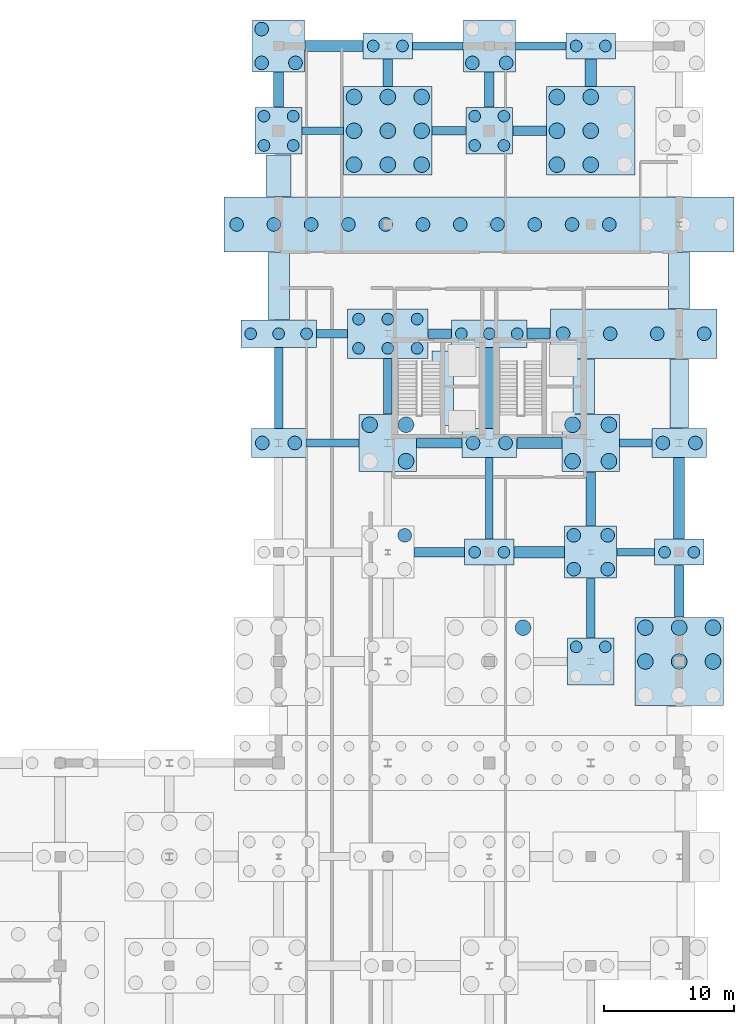
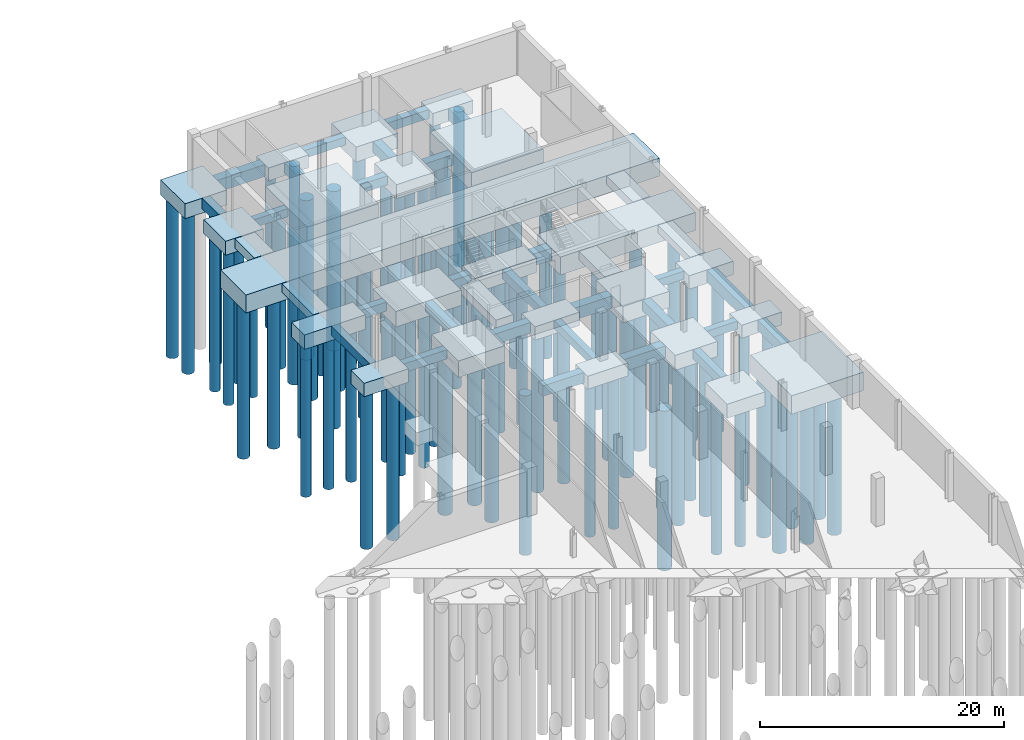
# One storey, part 8 of 32: 90 piles, 57 footings.
"""IFC4 building model written with IfcOpenShell, lengths in metres."""

import ifcopenshell
import ifcopenshell.guid

model = None  # the IFC model being written
_history = None  # IfcOwnerHistory: only IFC2X3 demands one
_inside = {}  # id of a spatial element -> (the spatial element, [elements in it])
_under = {}  # id of a project, library or spatial element -> (it, [spatial elements below it])
_declared = {}  # id of a project -> (the project, [libraries it declares])
_typed = {}  # id of a type object -> (the type object, [elements of that type])
_made_of = {}  # id of a material, layer set ... -> (it, [elements and type objects made of it])


def new_model(schema):
    """Start an empty IFC model of exactly this schema.

    Asked for "IFC4X3", IfcOpenShell would pick the latest addendum, in which some entities
    have other attributes; the version numbers below select the first issue.
    IFC2X3 requires an IfcOwnerHistory on every rooted entity: one is made here for all.
    """
    global model, _history
    if schema == "IFC4X3":
        model = ifcopenshell.file(schema_version=(4, 3, 0, 0))
    else:
        model = ifcopenshell.file(schema=schema)
    _inside.clear()
    _under.clear()
    _declared.clear()
    _typed.clear()
    _made_of.clear()
    _history = None
    if model.schema == "IFC2X3":
        org = make("IfcOrganization", Name="unknown")
        user = make(
            "IfcPersonAndOrganization",
            ThePerson=make("IfcPerson", FamilyName="unknown"),
            TheOrganization=org,
        )
        app = make(
            "IfcApplication",
            ApplicationDeveloper=org,
            Version="unknown",
            ApplicationFullName="unknown",
            ApplicationIdentifier="unknown",
        )
        _history = make(
            "IfcOwnerHistory",
            OwningUser=user,
            OwningApplication=app,
            ChangeAction="ADDED",
            CreationDate=0,
        )
    return model


def make(cls, **values):
    """One entity of the class cls with the attributes given. An attribute that is None is left unset."""
    return model.create_entity(
        cls, **{name: value for name, value in values.items() if value is not None}
    )


def rooted(cls, **values):
    """An entity with a GlobalId (a new one), such as an element, a storey or a relation."""
    return make(cls, GlobalId=ifcopenshell.guid.new(), OwnerHistory=_history, **values)


def si_unit(unit_type, name, prefix=None):
    """IfcSIUnit, for example si_unit("LENGTHUNIT", "METRE", prefix="MILLI")."""
    return make("IfcSIUnit", UnitType=unit_type, Prefix=prefix, Name=name)


def assignment(units):
    """IfcUnitAssignment: the units of a project."""
    return None if units is None else make("IfcUnitAssignment", Units=units)


def point(xyz):
    """IfcCartesianPoint."""
    return None if xyz is None else make("IfcCartesianPoint", Coordinates=xyz)


def direction(xyz):
    """IfcDirection."""
    return None if xyz is None else make("IfcDirection", DirectionRatios=xyz)


def frame(location, z_axis=None, x_axis=None):
    """IfcAxis2Placement3D, a coordinate frame: its origin and axes. An axis left out is left unset."""
    return make(
        "IfcAxis2Placement3D",
        Location=point(location),
        Axis=direction(z_axis),
        RefDirection=direction(x_axis),
    )


def frame_2d(location, x_axis=None):
    """IfcAxis2Placement2D, a coordinate frame in the plane: its origin and x axis."""
    return make(
        "IfcAxis2Placement2D", Location=point(location), RefDirection=direction(x_axis)
    )


def origin_with_axes():
    """The frame at (0, 0, 0) with the z axis (0, 0, 1) and the x axis (1, 0, 0) written out."""
    return frame((0.0, 0.0, 0.0), z_axis=(0.0, 0.0, 1.0), x_axis=(1.0, 0.0, 0.0))


def origin_2d_with_axis():
    """The frame at (0, 0) in the plane with the x axis (1, 0) written out."""
    return frame_2d((0.0, 0.0), x_axis=(1.0, 0.0))


def place(relative_to, where):
    """IfcLocalPlacement: puts the frame where relative to a parent placement (None: the world)."""
    return make(
        "IfcLocalPlacement", PlacementRelTo=relative_to, RelativePlacement=where
    )


def context(
    kind, dimensions, precision=None, world=None, true_north=None, identifier=None
):
    """IfcGeometricRepresentationContext, for example the 3D "Model" context."""
    return make(
        "IfcGeometricRepresentationContext",
        ContextIdentifier=identifier,
        ContextType=kind,
        CoordinateSpaceDimension=dimensions,
        Precision=precision,
        WorldCoordinateSystem=world,
        TrueNorth=true_north,
    )


def subcontext(parent, identifier, kind, view, scale=None):
    """IfcGeometricRepresentationSubContext, for example "Body" below "Model"."""
    return make(
        "IfcGeometricRepresentationSubContext",
        ContextIdentifier=identifier,
        ContextType=kind,
        ParentContext=parent,
        TargetScale=scale,
        TargetView=view,
    )


def project(units=None, contexts=None):
    """IfcProject with its units and contexts."""
    return rooted(
        "IfcProject",
        Name="project",
        RepresentationContexts=contexts,
        UnitsInContext=assignment(units),
    )


def spatial(cls, under=None, at=None, **own):
    """A site, building, storey or space (cls), placed at a placement, below another one or the project."""
    s = rooted(cls, ObjectPlacement=at, **own)
    if under is not None:
        _under.setdefault(under.id(), (under, []))[1].append(s)
    return s


def profile(cls, at=None, kind="AREA", **sizes):
    """A parametric profile (cls). Its sizes go by their IFC names, for example OverallWidth=200.0."""
    return make(cls, ProfileType=kind, Position=at, **sizes)


def rectangle(**sizes):
    """IfcRectangleProfileDef."""
    return profile("IfcRectangleProfileDef", **sizes)


def circle(**sizes):
    """IfcCircleProfileDef."""
    return profile("IfcCircleProfileDef", **sizes)


def extrude(swept, where, along, depth):
    """IfcExtrudedAreaSolid: the profile swept, set in the frame where, extruded along a direction by depth."""
    return make(
        "IfcExtrudedAreaSolid",
        SweptArea=swept,
        Position=where,
        ExtrudedDirection=direction(along),
        Depth=depth,
    )


def shape(context_of_items, identifier, shape_type, items):
    """IfcShapeRepresentation: the items that make up one representation, for example the "Body"."""
    return make(
        "IfcShapeRepresentation",
        ContextOfItems=context_of_items,
        RepresentationIdentifier=identifier,
        RepresentationType=shape_type,
        Items=items,
    )


def material(Name=None, Category=None):
    """IfcMaterial."""
    return make("IfcMaterial", Name=Name, Category=Category)


def material_profile(
    of_material, cross_section, Name=None, Category=None, Priority=None
):
    """IfcMaterialProfile: a cross section and its material."""
    return make(
        "IfcMaterialProfile",
        Name=Name,
        Material=of_material,
        Profile=cross_section,
        Priority=Priority,
        Category=Category,
    )


def profile_set(profiles, Name=None, composite=None):
    """IfcMaterialProfileSet."""
    return make(
        "IfcMaterialProfileSet",
        Name=Name,
        MaterialProfiles=profiles,
        CompositeProfile=composite,
    )


def made_of(thing, what):
    """Note that an element or type object is made of a material, layer set ...; save() writes the relation."""
    if what is not None:
        _made_of.setdefault(what.id(), (what, []))[1].append(thing)
    return thing


def type_object(cls, material=None, **own):
    """A type object (cls), such as IfcWallType, which elements share."""
    return made_of(rooted(cls, **own), material)


def element(
    cls,
    number,
    at=None,
    inside=None,
    cuts=None,
    type_object=None,
    material=None,
    context=None,
    identifier="Body",
    shape_type=None,
    held_by="IfcProductDefinitionShape",
    body=None,
    shapes=None,
    **own,
):
    """One element of the class cls, such as IfcWall. Its Tag is "e" and its number.

    at: its placement. inside: the storey or other place that contains it. cuts: it is an
    opening in that element (IfcRelVoidsElement). A single representation is given by context,
    identifier, shape_type and body (its items); several are given by shapes. held_by: the class
    of the entity that holds the representations. save() writes the other relations.
    """
    e = rooted(cls, Tag="e%d" % number, ObjectPlacement=at, **own)
    if body is not None:
        shapes = [shape(context, identifier, shape_type, body)]
    if shapes is not None:
        e.Representation = make(held_by, Representations=shapes)
    if inside is not None:
        _inside.setdefault(inside.id(), (inside, []))[1].append(e)
    if cuts is not None:
        rooted(
            "IfcRelVoidsElement", RelatingBuildingElement=cuts, RelatedOpeningElement=e
        )
    if type_object is not None:
        _typed.setdefault(type_object.id(), (type_object, []))[1].append(e)
    return made_of(e, material)


def aggregate(whole, parts):
    """IfcRelAggregates: a whole, such as a stair, and the parts it consists of."""
    return rooted("IfcRelAggregates", RelatingObject=whole, RelatedObjects=parts)


def save(model, path):
    """Write the relations noted so far, then the file.

    IfcRelAggregates (storeys below a building ...), IfcRelContainedInSpatialStructure (elements
    in a storey), IfcRelDefinesByType, IfcRelAssociatesMaterial and IfcRelDeclares: one each for
    every whole, place, type object, material and project.
    """
    for whole, parts in _under.values():
        aggregate(whole, parts)
    for where, things in _inside.values():
        rooted(
            "IfcRelContainedInSpatialStructure",
            RelatedElements=things,
            RelatingStructure=where,
        )
    for kind, things in _typed.values():
        rooted("IfcRelDefinesByType", RelatedObjects=things, RelatingType=kind)
    for what, things in _made_of.values():
        rooted("IfcRelAssociatesMaterial", RelatedObjects=things, RelatingMaterial=what)
    for by, libraries in _declared.values():
        rooted("IfcRelDeclares", RelatingContext=by, RelatedDefinitions=libraries)
    model.write(path)


model = new_model("IFC4")

# Units and contexts
model_context = context("Model", 3, precision=1e-05, world=origin_with_axes(), true_north=direction((0.0, 1.0)))
body_context = subcontext(model_context, "Body", "Model", "MODEL_VIEW")
ifc_project = project(units=[si_unit("LENGTHUNIT", "METRE"), si_unit("AREAUNIT", "SQUARE_METRE"), si_unit("VOLUMEUNIT", "CUBIC_METRE"), si_unit("PLANEANGLEUNIT", "RADIAN"), si_unit("MASSUNIT", "GRAM", prefix="KILO"), si_unit("THERMODYNAMICTEMPERATUREUNIT", "KELVIN")], contexts=[model_context])

# Site, building, storey
site_placement = place(None, origin_with_axes())
site = spatial("IfcSite", under=ifc_project, at=site_placement, CompositionType="ELEMENT")
building_placement = place(site_placement, origin_with_axes())
building = spatial("IfcBuilding", under=site, at=building_placement, Name="Montbau Bow Law Courts", CompositionType="ELEMENT")
storey_placement = place(building_placement, frame((0.0, 0.0, -4.8), z_axis=(0.0, 0.0, 1.0), x_axis=(1.0, 0.0, 0.0)))
storey = spatial("IfcBuildingStorey", under=building, at=storey_placement, Name="B1", CompositionType="ELEMENT", Elevation=-4.8)

# Footings
ifc_material_1 = material(Name="Concrete CSA A23.1 f'c 35 MPa", Category="concrete")
footing_type_1 = type_object("IfcFootingType", Name="FB-01", PredefinedType="FOOTING_BEAM", material=ifc_material_1)
footing_1_placement = place(None, frame((142.75, 86.4, -6.25), z_axis=(0.0, 0.0, 1.0), x_axis=(1.0, 0.0, 0.0)))
element("IfcFooting", 1, at=footing_1_placement, inside=storey, type_object=footing_type_1, Name="FB-081:fbm2_0099", PredefinedType="FOOTING_BEAM", context=body_context, shape_type="SweptSolid", body=[
    extrude(rectangle(XDim=4.07, YDim=0.65, at=origin_2d_with_axis()), origin_with_axes(), (0.0, 0.0, 1.0), 0.9),
])
footing_2_placement = place(None, frame((142.7, 94.8, -6.25), z_axis=(0.0, 0.0, 1.0), x_axis=(1.0, 0.0, 0.0)))
element("IfcFooting", 2, at=footing_2_placement, inside=storey, type_object=footing_type_1, Name="FB-085:fbm2_0103", PredefinedType="FOOTING_BEAM", context=body_context, shape_type="SweptSolid", body=[
    extrude(rectangle(XDim=2.37, YDim=0.65, at=origin_2d_with_axis()), origin_with_axes(), (0.0, 0.0, 1.0), 0.9),
])
footing_3_placement = place(None, frame((151.7, 110.4, -6.25), z_axis=(0.0, 0.0, 1.0), x_axis=(1.0, 0.0, 0.0)))
element("IfcFooting", 3, at=footing_3_placement, inside=storey, type_object=footing_type_1, Name="FB-089:fbm2_0107", PredefinedType="FOOTING_BEAM", context=body_context, shape_type="SweptSolid", body=[
    extrude(rectangle(XDim=2.57, YDim=0.65, at=origin_2d_with_axis()), origin_with_axes(), (0.0, 0.0, 1.0), 0.9),
])
footing_4_placement = place(None, frame((158.75, 116.92, -6.25), z_axis=(0.0, 0.0, 1.0), x_axis=(1.0, 0.0, 0.0)))
element("IfcFooting", 4, at=footing_4_placement, inside=storey, type_object=footing_type_1, Name="FB-093:fbm2_0111", PredefinedType="FOOTING_BEAM", context=body_context, shape_type="SweptSolid", body=[
    extrude(rectangle(XDim=3.87, YDim=0.65, at=origin_2d_with_axis()), origin_with_axes(), (0.0, 0.0, 1.0), 0.9),
])
footing_5_placement = place(None, frame((138.6, 90.625, -6.25), z_axis=(0.0, 0.0, 1.0), x_axis=(0.0, 1.0, 0.0)))
element("IfcFooting", 5, at=footing_5_placement, inside=storey, type_object=footing_type_1, Name="FB-145:fbm2_0163", PredefinedType="FOOTING_BEAM", context=body_context, shape_type="SweptSolid", body=[
    extrude(rectangle(XDim=6.22, YDim=0.65, at=origin_2d_with_axis()), origin_with_axes(), (0.0, 0.0, 1.0), 0.9),
])
footing_6_placement = place(None, frame((147.0, 90.75, -6.25), z_axis=(0.0, 0.0, 1.0), x_axis=(0.0, 1.0, 0.0)))
element("IfcFooting", 6, at=footing_6_placement, inside=storey, type_object=footing_type_1, Name="FB-153:fbm2_0171", PredefinedType="FOOTING_BEAM", context=body_context, shape_type="SweptSolid", body=[
    extrude(rectangle(XDim=4.27, YDim=0.65, at=origin_2d_with_axis()), origin_with_axes(), (0.0, 0.0, 1.0), 0.9),
])
footing_7_placement = place(None, frame((154.8, 90.625, -6.25), z_axis=(0.0, 0.0, 1.0), x_axis=(0.0, 1.0, 0.0)))
element("IfcFooting", 7, at=footing_7_placement, inside=storey, type_object=footing_type_1, Name="FB-161:fbm2_0179", PredefinedType="FOOTING_BEAM", context=body_context, shape_type="SweptSolid", body=[
    extrude(rectangle(XDim=6.22, YDim=0.65, at=origin_2d_with_axis()), origin_with_axes(), (0.0, 0.0, 1.0), 0.9),
])
footing_8_placement = place(None, frame((162.6, 73.7, -6.25), z_axis=(0.0, 0.0, 1.0), x_axis=(0.0, 1.0, 0.0)))
element("IfcFooting", 8, at=footing_8_placement, inside=storey, type_object=footing_type_1, Name="FB-165:fbm2_0183", PredefinedType="FOOTING_BEAM", context=body_context, shape_type="SweptSolid", body=[
    extrude(rectangle(XDim=4.57, YDim=0.65, at=origin_2d_with_axis()), origin_with_axes(), (0.0, 0.0, 1.0), 0.9),
])
footing_type_2 = type_object("IfcFootingType", Name="FB-02", PredefinedType="FOOTING_BEAM", material=ifc_material_1)
footing_9_placement = place(None, frame((150.95, 78.0, -6.4), z_axis=(0.0, 0.0, 1.0), x_axis=(1.0, 0.0, 0.0)))
element("IfcFooting", 9, at=footing_9_placement, inside=storey, type_object=footing_type_2, Name="FB-078:fbm2_0096", PredefinedType="FOOTING_BEAM", context=body_context, shape_type="SweptSolid", body=[
    extrude(rectangle(XDim=3.87, YDim=0.75, at=origin_2d_with_axis()), origin_with_axes(), (0.0, 0.0, 1.0), 1.05),
])
footing_10_placement = place(None, frame((150.95, 86.4, -6.4), z_axis=(0.0, 0.0, 1.0), x_axis=(1.0, 0.0, 0.0)))
element("IfcFooting", 10, at=footing_10_placement, inside=storey, type_object=footing_type_2, Name="FB-082:fbm2_0100", PredefinedType="FOOTING_BEAM", context=body_context, shape_type="SweptSolid", body=[
    extrude(rectangle(XDim=3.47, YDim=0.75, at=origin_2d_with_axis()), origin_with_axes(), (0.0, 0.0, 1.0), 1.05),
])
footing_11_placement = place(None, frame((151.0, 94.8, -6.4), z_axis=(0.0, 0.0, 1.0), x_axis=(1.0, 0.0, 0.0)))
element("IfcFooting", 11, at=footing_11_placement, inside=storey, type_object=footing_type_2, Name="FB-086:fbm2_0104", PredefinedType="FOOTING_BEAM", context=body_context, shape_type="SweptSolid", body=[
    extrude(rectangle(XDim=1.77, YDim=0.75, at=origin_2d_with_axis()), origin_with_axes(), (0.0, 0.0, 1.0), 1.05),
])
footing_12_placement = place(None, frame((157.9, 110.4, -6.4), z_axis=(0.0, 0.0, 1.0), x_axis=(1.0, 0.0, 0.0)))
element("IfcFooting", 12, at=footing_12_placement, inside=storey, type_object=footing_type_2, Name="FB-090:fbm2_0108", PredefinedType="FOOTING_BEAM", context=body_context, shape_type="SweptSolid", body=[
    extrude(rectangle(XDim=2.57, YDim=0.75, at=origin_2d_with_axis()), origin_with_axes(), (0.0, 0.0, 1.0), 1.05),
])
footing_13_placement = place(None, frame((138.6, 113.56, -6.4), z_axis=(0.0, 0.0, 1.0), x_axis=(0.0, 1.0, 0.0)))
element("IfcFooting", 13, at=footing_13_placement, inside=storey, type_object=footing_type_2, Name="FB-146:fbm2_0164", PredefinedType="FOOTING_BEAM", context=body_context, shape_type="SweptSolid", body=[
    extrude(rectangle(XDim=2.69, YDim=0.75, at=origin_2d_with_axis()), origin_with_axes(), (0.0, 0.0, 1.0), 1.05),
])
footing_14_placement = place(None, frame((147.0, 114.86, -6.4), z_axis=(0.0, 0.0, 1.0), x_axis=(0.0, 1.0, 0.0)))
element("IfcFooting", 14, at=footing_14_placement, inside=storey, type_object=footing_type_2, Name="FB-154:fbm2_0172", PredefinedType="FOOTING_BEAM", context=body_context, shape_type="SweptSolid", body=[
    extrude(rectangle(XDim=2.09, YDim=0.75, at=origin_2d_with_axis()), origin_with_axes(), (0.0, 0.0, 1.0), 1.05),
])
footing_15_placement = place(None, frame((154.8, 113.56, -6.4), z_axis=(0.0, 0.0, 1.0), x_axis=(0.0, 1.0, 0.0)))
element("IfcFooting", 15, at=footing_15_placement, inside=storey, type_object=footing_type_2, Name="FB-162:fbm2_0180", PredefinedType="FOOTING_BEAM", context=body_context, shape_type="SweptSolid", body=[
    extrude(rectangle(XDim=2.69, YDim=0.75, at=origin_2d_with_axis()), origin_with_axes(), (0.0, 0.0, 1.0), 1.05),
])
footing_16_placement = place(None, frame((162.6, 82.1, -6.4), z_axis=(0.0, 0.0, 1.0), x_axis=(0.0, 1.0, 0.0)))
element("IfcFooting", 16, at=footing_16_placement, inside=storey, type_object=footing_type_2, Name="FB-166:fbm2_0184", PredefinedType="FOOTING_BEAM", context=body_context, shape_type="SweptSolid", body=[
    extrude(rectangle(XDim=4.17, YDim=0.75, at=origin_2d_with_axis()), origin_with_axes(), (0.0, 0.0, 1.0), 1.05),
])
footing_17_placement = place(None, frame((169.4, 75.0, -6.4), z_axis=(0.0, 0.0, 1.0), x_axis=(0.0, 1.0, 0.0)))
element("IfcFooting", 17, at=footing_17_placement, inside=storey, type_object=footing_type_2, Name="FB-170:fbm2_0188", PredefinedType="FOOTING_BEAM", context=body_context, shape_type="SweptSolid", body=[
    extrude(rectangle(XDim=3.97, YDim=0.75, at=origin_2d_with_axis()), origin_with_axes(), (0.0, 0.0, 1.0), 1.05),
])
footing_type_3 = type_object("IfcFootingType", Name="FB-03", PredefinedType="FOOTING_BEAM", material=ifc_material_1)
footing_18_placement = place(None, frame((158.65, 78.0, -6.55), z_axis=(0.0, 0.0, 1.0), x_axis=(1.0, 0.0, 0.0)))
element("IfcFooting", 18, at=footing_18_placement, inside=storey, type_object=footing_type_3, Name="FB-079:fbm2_0097", PredefinedType="FOOTING_BEAM", context=body_context, shape_type="SweptSolid", body=[
    extrude(rectangle(XDim=3.87, YDim=0.85, at=origin_2d_with_axis()), origin_with_axes(), (0.0, 0.0, 1.0), 1.2),
])
footing_19_placement = place(None, frame((158.65, 86.4, -6.55), z_axis=(0.0, 0.0, 1.0), x_axis=(1.0, 0.0, 0.0)))
element("IfcFooting", 19, at=footing_19_placement, inside=storey, type_object=footing_type_3, Name="FB-083:fbm2_0101", PredefinedType="FOOTING_BEAM", context=body_context, shape_type="SweptSolid", body=[
    extrude(rectangle(XDim=3.47, YDim=0.85, at=origin_2d_with_axis()), origin_with_axes(), (0.0, 0.0, 1.0), 1.2),
])
footing_20_placement = place(None, frame((158.6, 94.8, -6.55), z_axis=(0.0, 0.0, 1.0), x_axis=(1.0, 0.0, 0.0)))
element("IfcFooting", 20, at=footing_20_placement, inside=storey, type_object=footing_type_3, Name="FB-087:fbm2_0105", PredefinedType="FOOTING_BEAM", context=body_context, shape_type="SweptSolid", body=[
    extrude(rectangle(XDim=1.77, YDim=0.85, at=origin_2d_with_axis()), origin_with_axes(), (0.0, 0.0, 1.0), 1.2),
])
footing_21_placement = place(None, frame((142.85, 116.92, -6.55), z_axis=(0.0, 0.0, 1.0), x_axis=(1.0, 0.0, 0.0)))
element("IfcFooting", 21, at=footing_21_placement, inside=storey, type_object=footing_type_3, Name="FB-091:fbm2_0109", PredefinedType="FOOTING_BEAM", context=body_context, shape_type="SweptSolid", body=[
    extrude(rectangle(XDim=4.47, YDim=0.85, at=origin_2d_with_axis()), origin_with_axes(), (0.0, 0.0, 1.0), 1.2),
])
footing_22_placement = place(None, frame((162.6, 114.86, -6.55), z_axis=(0.0, 0.0, 1.0), x_axis=(0.0, 1.0, 0.0)))
element("IfcFooting", 22, at=footing_22_placement, inside=storey, type_object=footing_type_3, Name="FB-167:fbm2_0185", PredefinedType="FOOTING_BEAM", context=body_context, shape_type="SweptSolid", body=[
    extrude(rectangle(XDim=2.09, YDim=0.85, at=origin_2d_with_axis()), origin_with_axes(), (0.0, 0.0, 1.0), 1.2),
])
footing_23_placement = place(None, frame((169.4, 82.15, -6.55), z_axis=(0.0, 0.0, 1.0), x_axis=(0.0, 1.0, 0.0)))
element("IfcFooting", 23, at=footing_23_placement, inside=storey, type_object=footing_type_3, Name="FB-171:fbm2_0189", PredefinedType="FOOTING_BEAM", context=body_context, shape_type="SweptSolid", body=[
    extrude(rectangle(XDim=6.27, YDim=0.85, at=origin_2d_with_axis()), origin_with_axes(), (0.0, 0.0, 1.0), 1.2),
])
footing_type_4 = type_object("IfcFootingType", Name="FB-04", PredefinedType="FOOTING_BEAM", material=ifc_material_1)
footing_24_placement = place(None, frame((166.05, 78.0, -6.15), z_axis=(0.0, 0.0, 1.0), x_axis=(1.0, 0.0, 0.0)))
element("IfcFooting", 24, at=footing_24_placement, inside=storey, type_object=footing_type_4, Name="FB-080:fbm2_0098", PredefinedType="FOOTING_BEAM", context=body_context, shape_type="SweptSolid", body=[
    extrude(rectangle(XDim=2.87, YDim=0.6, at=origin_2d_with_axis()), origin_with_axes(), (0.0, 0.0, 1.0), 0.8),
])
footing_25_placement = place(None, frame((166.05, 86.4, -6.15), z_axis=(0.0, 0.0, 1.0), x_axis=(1.0, 0.0, 0.0)))
element("IfcFooting", 25, at=footing_25_placement, inside=storey, type_object=footing_type_4, Name="FB-084:fbm2_0102", PredefinedType="FOOTING_BEAM", context=body_context, shape_type="SweptSolid", body=[
    extrude(rectangle(XDim=2.47, YDim=0.6, at=origin_2d_with_axis()), origin_with_axes(), (0.0, 0.0, 1.0), 0.8),
])
footing_26_placement = place(None, frame((142.0, 110.4, -6.15), z_axis=(0.0, 0.0, 1.0), x_axis=(1.0, 0.0, 0.0)))
element("IfcFooting", 26, at=footing_26_placement, inside=storey, type_object=footing_type_4, Name="FB-088:fbm2_0106", PredefinedType="FOOTING_BEAM", context=body_context, shape_type="SweptSolid", body=[
    extrude(rectangle(XDim=3.17, YDim=0.6, at=origin_2d_with_axis()), origin_with_axes(), (0.0, 0.0, 1.0), 0.8),
])
footing_27_placement = place(None, frame((150.85, 116.92, -6.15), z_axis=(0.0, 0.0, 1.0), x_axis=(1.0, 0.0, 0.0)))
element("IfcFooting", 27, at=footing_27_placement, inside=storey, type_object=footing_type_4, Name="FB-092:fbm2_0110", PredefinedType="FOOTING_BEAM", context=body_context, shape_type="SweptSolid", body=[
    extrude(rectangle(XDim=3.87, YDim=0.6, at=origin_2d_with_axis()), origin_with_axes(), (0.0, 0.0, 1.0), 0.8),
])
footing_28_placement = place(None, frame((154.8, 82.15, -6.15), z_axis=(0.0, 0.0, 1.0), x_axis=(0.0, 1.0, 0.0)))
element("IfcFooting", 28, at=footing_28_placement, inside=storey, type_object=footing_type_4, Name="FB-160:fbm2_0178", PredefinedType="FOOTING_BEAM", context=body_context, shape_type="SweptSolid", body=[
    extrude(rectangle(XDim=6.27, YDim=0.6, at=origin_2d_with_axis()), origin_with_axes(), (0.0, 0.0, 1.0), 0.8),
])
footing_type_5 = type_object("IfcFootingType", Name="FC-01", PredefinedType="PILE_CAP", material=ifc_material_1)
for number, where, z_axis, x_axis, name in (
    (29, (138.6, 110.4, -6.75), (0.0, 0.0, 1.0), (1.0, 0.0, 0.0), "FCA-069:ftg2_0069"),
    (30, (154.8, 110.4, -6.75), (0.0, 0.0, 1.0), (1.0, 0.0, 0.0), "FCA-093:ftg2_0093"),
    (31, (162.6, 69.6, -6.75), (0.0, 0.0, 1.0), (1.0, 0.0, 0.0), "FCA-101:ftg2_0101"),
):
    element("IfcFooting", number, at=place(None, frame(where, z_axis=z_axis, x_axis=x_axis)), inside=storey, type_object=footing_type_5, Name=name, PredefinedType="PILE_CAP", context=body_context, shape_type="SweptSolid", body=[
        extrude(rectangle(XDim=3.6, YDim=3.6, at=origin_2d_with_axis()), origin_with_axes(), (0.0, 0.0, 1.0), 1.4),
    ])
footing_type_6 = type_object("IfcFootingType", Name="FC-02", PredefinedType="PILE_CAP", material=ifc_material_1)
for number, where, z_axis, x_axis, name in (
    (32, (138.6, 116.92, -6.85), (0.0, 0.0, 1.0), (1.0, 0.0, 0.0), "FCA-070:ftg2_0070"),
    (33, (154.8, 116.92, -6.85), (0.0, 0.0, 1.0), (1.0, 0.0, 0.0), "FCA-094:ftg2_0094"),
    (34, (162.6, 78.0, -6.85), (0.0, 0.0, 1.0), (1.0, 0.0, 0.0), "FCA-102:ftg2_0102"),
):
    element("IfcFooting", number, at=place(None, frame(where, z_axis=z_axis, x_axis=x_axis)), inside=storey, type_object=footing_type_6, Name=name, PredefinedType="PILE_CAP", context=body_context, shape_type="SweptSolid", body=[
        extrude(rectangle(XDim=4.0, YDim=4.0, at=origin_2d_with_axis()), origin_with_axes(), (0.0, 0.0, 1.0), 1.5),
    ])
footing_type_7 = type_object("IfcFootingType", Name="FC-03", PredefinedType="PILE_CAP", material=ifc_material_1)
for number, where, z_axis, x_axis, name in (
    (35, (147.0, 86.4, -7.0), (0.0, 0.0, 1.0), (1.0, 0.0, 0.0), "FCA-079:ftg2_0079"),
    (36, (162.6, 86.4, -7.0), (0.0, 0.0, 1.0), (1.0, 0.0, 0.0), "FCA-103:ftg2_0103"),
):
    element("IfcFooting", number, at=place(None, frame(where, z_axis=z_axis, x_axis=x_axis)), inside=storey, type_object=footing_type_7, Name=name, PredefinedType="PILE_CAP", context=body_context, shape_type="SweptSolid", body=[
        extrude(rectangle(XDim=4.4, YDim=4.4, at=origin_2d_with_axis()), origin_with_axes(), (0.0, 0.0, 1.0), 1.65),
    ])
footing_type_8 = type_object("IfcFootingType", Name="FC-04", PredefinedType="PILE_CAP", material=ifc_material_1)
footing_29_placement = place(None, frame((147.0, 94.8, -6.9), z_axis=(0.0, 0.0, 1.0), x_axis=(1.0, 0.0, 0.0)))
element("IfcFooting", 37, at=footing_29_placement, inside=storey, type_object=footing_type_8, Name="FCA-080:ftg2_0080", PredefinedType="PILE_CAP", context=body_context, shape_type="SweptSolid", body=[
    extrude(rectangle(XDim=6.2, YDim=3.8, at=origin_2d_with_axis()), origin_with_axes(), (0.0, 0.0, 1.0), 1.55),
])
footing_type_9 = type_object("IfcFootingType", Name="FC-06", PredefinedType="PILE_CAP", material=ifc_material_1)
for number, where, z_axis, x_axis, name in (
    (38, (147.0, 110.4, -7.2), (0.0, 0.0, 1.0), (1.0, 0.0, 0.0), "FCA-081:ftg2_0081"),
    (39, (162.6, 110.4, -7.2), (0.0, 0.0, 1.0), (1.0, 0.0, 0.0), "FCA-105:ftg2_0105"),
    (40, (169.4, 69.6, -7.2), (0.0, 0.0, 1.0), (1.0, 0.0, 0.0), "FCA-111:ftg2_0111"),
):
    element("IfcFooting", number, at=place(None, frame(where, z_axis=z_axis, x_axis=x_axis)), inside=storey, type_object=footing_type_9, Name=name, PredefinedType="PILE_CAP", context=body_context, shape_type="SweptSolid", body=[
        extrude(rectangle(XDim=6.8, YDim=6.8, at=origin_2d_with_axis()), origin_with_axes(), (0.0, 0.0, 1.0), 1.85),
    ])
footing_type_10 = type_object("IfcFootingType", Name="FC-07", PredefinedType="PILE_CAP", material=ifc_material_1)
for number, where, z_axis, x_axis, name in (
    (41, (147.0, 116.92, -6.65), (0.0, 0.0, 1.0), (1.0, 0.0, 0.0), "FCA-082:ftg2_0082"),
    (42, (154.8, 78.0, -6.65), (0.0, 0.0, 1.0), (1.0, 0.0, 0.0), "FCA-090:ftg2_0090"),
    (43, (162.6, 116.92, -6.65), (0.0, 0.0, 1.0), (1.0, 0.0, 0.0), "FCA-106:ftg2_0106"),
    (44, (169.4, 78.0, -6.65), (0.0, 0.0, 1.0), (1.0, 0.0, 0.0), "FCA-112:ftg2_0112"),
):
    element("IfcFooting", number, at=place(None, frame(where, z_axis=z_axis, x_axis=x_axis)), inside=storey, type_object=footing_type_10, Name=name, PredefinedType="PILE_CAP", context=body_context, shape_type="SweptSolid", body=[
        extrude(rectangle(XDim=3.8, YDim=2.0, at=origin_2d_with_axis()), origin_with_axes(), (0.0, 0.0, 1.0), 1.3),
    ])
footing_type_11 = type_object("IfcFootingType", Name="FC-08", PredefinedType="PILE_CAP", material=ifc_material_1)
for number, where, z_axis, x_axis, name in (
    (45, (138.6, 86.4, -6.7), (0.0, 0.0, 1.0), (1.0, 0.0, 0.0), "FCA-066:ftg2_0066"),
    (46, (154.8, 86.4, -6.7), (0.0, 0.0, 1.0), (1.0, 0.0, 0.0), "FCA-091:ftg2_0091"),
    (47, (169.4, 86.4, -6.7), (0.0, 0.0, 1.0), (1.0, 0.0, 0.0), "FCA-113:ftg2_0113"),
):
    element("IfcFooting", number, at=place(None, frame(where, z_axis=z_axis, x_axis=x_axis)), inside=storey, type_object=footing_type_11, Name=name, PredefinedType="PILE_CAP", context=body_context, shape_type="SweptSolid", body=[
        extrude(rectangle(XDim=4.2, YDim=2.2, at=origin_2d_with_axis()), origin_with_axes(), (0.0, 0.0, 1.0), 1.35),
    ])
footing_type_12 = type_object("IfcFootingType", Name="FC-09", PredefinedType="PILE_CAP", material=ifc_material_1)
for number, where, z_axis, x_axis, name in (
    (48, (138.6, 94.8, -6.8), (0.0, 0.0, 1.0), (1.0, 0.0, 0.0), "FCA-067:ftg2_0067"),
    (49, (154.8, 94.8, -6.8), (0.0, 0.0, 1.0), (1.0, 0.0, 0.0), "FCA-092:ftg2_0092"),
):
    element("IfcFooting", number, at=place(None, frame(where, z_axis=z_axis, x_axis=x_axis)), inside=storey, type_object=footing_type_12, Name=name, PredefinedType="PILE_CAP", context=body_context, shape_type="SweptSolid", body=[
        extrude(rectangle(XDim=5.8, YDim=2.1, at=origin_2d_with_axis()), origin_with_axes(), (0.0, 0.0, 1.0), 1.45),
    ])
footing_type_13 = type_object("IfcFootingType", Name="FC-CMB", PredefinedType="PILE_CAP", material=ifc_material_1)
footing_30_placement = place(None, frame((154.0, 103.2, -7.15), z_axis=(0.0, 0.0, 1.0), x_axis=(1.0, 0.0, 0.0)))
element("IfcFooting", 50, at=footing_30_placement, inside=storey, type_object=footing_type_13, Name="FCA-068:ftg2_0068", PredefinedType="PILE_CAP", context=body_context, shape_type="SweptSolid", body=[
    extrude(rectangle(XDim=39.2, YDim=4.2, at=origin_2d_with_axis()), origin_with_axes(), (0.0, 0.0, 1.0), 1.8),
])
footing_31_placement = place(None, frame((165.9, 94.8, -7.15), z_axis=(0.0, 0.0, 1.0), x_axis=(1.0, 0.0, 0.0)))
element("IfcFooting", 51, at=footing_31_placement, inside=storey, type_object=footing_type_13, Name="FCA-104:ftg2_0104", PredefinedType="PILE_CAP", context=body_context, shape_type="SweptSolid", body=[
    extrude(rectangle(XDim=12.8, YDim=3.8, at=origin_2d_with_axis()), origin_with_axes(), (0.0, 0.0, 1.0), 1.8),
])

# Piles
ifc_material_2 = material(Name="Concrete CSA A23.1 f'c 40 MPa", Category="concrete")
ifc_material_profile_1 = material_profile(ifc_material_2, circle(Radius=0.45, at=origin_2d_with_axis()), Name="BP900", Category="Main", Priority=0)
ifc_profile_set_1 = profile_set([ifc_material_profile_1], Name="Concrete CSA A23.1 f'c 40 MPa")
pile_type_1 = type_object("IfcPileType", Name="P-0900", PredefinedType="BORED", material=ifc_profile_set_1)
for number, where, z_axis, x_axis, name in (
    (52, (136.45, 94.8, -22.2), (0.0, 0.0, 1.0), (1.0, 0.0, 0.0), "FCA-067-P01:pil_f2_0267"),
    (53, (138.6, 94.8, -22.2), (0.0, 0.0, 1.0), (1.0, 0.0, 0.0), "FCA-067-P02:pil_f2_0268"),
    (54, (140.75, 94.8, -22.2), (0.0, 0.0, 1.0), (1.0, 0.0, 0.0), "FCA-067-P03:pil_f2_0269"),
    (55, (137.475, 109.275, -22.15), (0.0, 0.0, 1.0), (1.0, 0.0, 0.0), "FCA-069-P01:pil_f2_0270"),
    (56, (137.475, 111.525, -22.15), (0.0, 0.0, 1.0), (1.0, 0.0, 0.0), "FCA-069-P02:pil_f2_0271"),
    (57, (139.725, 109.275, -22.15), (0.0, 0.0, 1.0), (1.0, 0.0, 0.0), "FCA-069-P03:pil_f2_0272"),
    (58, (139.725, 111.525, -22.15), (0.0, 0.0, 1.0), (1.0, 0.0, 0.0), "FCA-069-P04:pil_f2_0273"),
    (59, (144.75, 93.675, -22.3), (0.0, 0.0, 1.0), (1.0, 0.0, 0.0), "FCA-080-P01:pil_f2_0316"),
    (60, (144.75, 95.925, -22.3), (0.0, 0.0, 1.0), (1.0, 0.0, 0.0), "FCA-080-P02:pil_f2_0317"),
    (61, (147.0, 93.675, -22.3), (0.0, 0.0, 1.0), (1.0, 0.0, 0.0), "FCA-080-P03:pil_f2_0318"),
    (62, (147.0, 95.925, -22.3), (0.0, 0.0, 1.0), (1.0, 0.0, 0.0), "FCA-080-P04:pil_f2_0319"),
    (63, (149.25, 93.675, -22.3), (0.0, 0.0, 1.0), (1.0, 0.0, 0.0), "FCA-080-P05:pil_f2_0320"),
    (64, (149.25, 95.925, -22.3), (0.0, 0.0, 1.0), (1.0, 0.0, 0.0), "FCA-080-P06:pil_f2_0321"),
    (65, (145.875, 116.92, -22.05), (0.0, 0.0, 1.0), (1.0, 0.0, 0.0), "FCA-082-P01:pil_f2_0331"),
    (66, (148.125, 116.92, -22.05), (0.0, 0.0, 1.0), (1.0, 0.0, 0.0), "FCA-082-P02:pil_f2_0332"),
    (67, (153.675, 78.0, -22.05), (0.0, 0.0, 1.0), (1.0, 0.0, 0.0), "FCA-090-P01:pil_f2_0365"),
    (68, (155.925, 78.0, -22.05), (0.0, 0.0, 1.0), (1.0, 0.0, 0.0), "FCA-090-P02:pil_f2_0366"),
    (69, (152.65, 94.8, -22.2), (0.0, 0.0, 1.0), (1.0, 0.0, 0.0), "FCA-092-P01:pil_f2_0369"),
    (70, (154.8, 94.8, -22.2), (0.0, 0.0, 1.0), (1.0, 0.0, 0.0), "FCA-092-P02:pil_f2_0370"),
    (71, (156.95, 94.8, -22.2), (0.0, 0.0, 1.0), (1.0, 0.0, 0.0), "FCA-092-P03:pil_f2_0371"),
    (72, (153.675, 109.275, -22.15), (0.0, 0.0, 1.0), (1.0, 0.0, 0.0), "FCA-093-P01:pil_f2_0372"),
    (73, (153.675, 111.525, -22.15), (0.0, 0.0, 1.0), (1.0, 0.0, 0.0), "FCA-093-P02:pil_f2_0373"),
    (74, (155.925, 109.275, -22.15), (0.0, 0.0, 1.0), (1.0, 0.0, 0.0), "FCA-093-P03:pil_f2_0374"),
    (75, (155.925, 111.525, -22.15), (0.0, 0.0, 1.0), (1.0, 0.0, 0.0), "FCA-093-P04:pil_f2_0375"),
    (76, (161.475, 70.725, -22.15), (0.0, 0.0, 1.0), (1.0, 0.0, 0.0), "FCA-101-P02:pil_f2_0398"),
    (77, (163.725, 70.725, -22.15), (0.0, 0.0, 1.0), (1.0, 0.0, 0.0), "FCA-101-P04:pil_f2_0400"),
    (78, (161.475, 116.92, -22.05), (0.0, 0.0, 1.0), (1.0, 0.0, 0.0), "FCA-106-P01:pil_f2_0418"),
    (79, (163.725, 116.92, -22.05), (0.0, 0.0, 1.0), (1.0, 0.0, 0.0), "FCA-106-P02:pil_f2_0419"),
    (80, (168.275, 78.0, -22.05), (0.0, 0.0, 1.0), (1.0, 0.0, 0.0), "FCA-112-P01:pil_f2_0443"),
    (81, (170.525, 78.0, -22.05), (0.0, 0.0, 1.0), (1.0, 0.0, 0.0), "FCA-112-P02:pil_f2_0444"),
):
    element("IfcPile", number, at=place(None, frame(where, z_axis=z_axis, x_axis=x_axis)), inside=storey, type_object=pile_type_1, Name=name, ConstructionType="CAST_IN_PLACE", PredefinedType="BORED", context=body_context, shape_type="SweptSolid", body=[
        extrude(circle(Radius=0.45, at=origin_2d_with_axis()), origin_with_axes(), (0.0, 0.0, 1.0), 15.5),
    ])
ifc_material_profile_2 = material_profile(ifc_material_2, circle(Radius=0.525, at=origin_2d_with_axis()), Name="BP1050", Category="Main", Priority=0)
ifc_profile_set_2 = profile_set([ifc_material_profile_2], Name="Concrete CSA A23.1 f'c 40 MPa")
pile_type_2 = type_object("IfcPileType", Name="P-1050", PredefinedType="BORED", material=ifc_profile_set_2)
for number, where, z_axis, x_axis, name in (
    (82, (135.375, 103.2, -23.05), (0.0, 0.0, 1.0), (1.0, 0.0, 0.0), "FCA-068-P01:pil_e2_0465"),
    (83, (138.24, 103.2, -23.05), (0.0, 0.0, 1.0), (1.0, 0.0, 0.0), "FCA-068-P02:pil_e2_0466"),
    (84, (141.106, 103.2, -23.05), (0.0, 0.0, 1.0), (1.0, 0.0, 0.0), "FCA-068-P03:pil_e2_0467"),
    (85, (143.971, 103.2, -23.05), (0.0, 0.0, 1.0), (1.0, 0.0, 0.0), "FCA-068-P04:pil_e2_0468"),
    (86, (146.837, 103.2, -23.05), (0.0, 0.0, 1.0), (1.0, 0.0, 0.0), "FCA-068-P05:pil_e2_0469"),
    (87, (149.702, 103.2, -23.05), (0.0, 0.0, 1.0), (1.0, 0.0, 0.0), "FCA-068-P06:pil_e2_0470"),
    (88, (152.567, 103.2, -23.05), (0.0, 0.0, 1.0), (1.0, 0.0, 0.0), "FCA-068-P07:pil_e2_0471"),
    (89, (155.433, 103.2, -23.05), (0.0, 0.0, 1.0), (1.0, 0.0, 0.0), "FCA-068-P08:pil_e2_0472"),
    (90, (158.298, 103.2, -23.05), (0.0, 0.0, 1.0), (1.0, 0.0, 0.0), "FCA-068-P09:pil_e2_0473"),
    (91, (161.163, 103.2, -23.05), (0.0, 0.0, 1.0), (1.0, 0.0, 0.0), "FCA-068-P10:pil_e2_0474"),
    (92, (164.029, 103.2, -23.05), (0.0, 0.0, 1.0), (1.0, 0.0, 0.0), "FCA-068-P11:pil_e2_0475"),
    (93, (160.475, 94.8, -23.05), (0.0, 0.0, 1.0), (1.0, 0.0, 0.0), "FCA-104-P01:pil_e2_0487"),
    (94, (164.092, 94.8, -23.05), (0.0, 0.0, 1.0), (1.0, 0.0, 0.0), "FCA-104-P02:pil_e2_0488"),
    (95, (167.708, 94.8, -23.05), (0.0, 0.0, 1.0), (1.0, 0.0, 0.0), "FCA-104-P03:pil_e2_0489"),
    (96, (171.325, 94.8, -23.05), (0.0, 0.0, 1.0), (1.0, 0.0, 0.0), "FCA-104-P04:pil_e2_0490"),
    (97, (137.35, 86.4, -22.6), (0.0, 0.0, 1.0), (1.0, 0.0, 0.0), "FCA-066-P01:pil_f2_0265"),
    (98, (139.85, 86.4, -22.6), (0.0, 0.0, 1.0), (1.0, 0.0, 0.0), "FCA-066-P02:pil_f2_0266"),
    (99, (137.3, 115.62, -22.75), (0.0, 0.0, 1.0), (1.0, 0.0, 0.0), "FCA-070-P01:pil_f2_0274"),
    (100, (137.3, 118.22, -22.75), (0.0, 0.0, 1.0), (1.0, 0.0, 0.0), "FCA-070-P02:pil_f2_0275"),
    (101, (139.9, 115.62, -22.75), (0.0, 0.0, 1.0), (1.0, 0.0, 0.0), "FCA-070-P03:pil_f2_0276"),
    (102, (148.3, 79.3, -22.75), (0.0, 0.0, 1.0), (1.0, 0.0, 0.0), "FCA-078-P04:pil_f2_0311"),
    (103, (153.55, 86.4, -22.6), (0.0, 0.0, 1.0), (1.0, 0.0, 0.0), "FCA-091-P01:pil_f2_0367"),
    (104, (156.05, 86.4, -22.6), (0.0, 0.0, 1.0), (1.0, 0.0, 0.0), "FCA-091-P02:pil_f2_0368"),
    (105, (153.5, 115.62, -22.75), (0.0, 0.0, 1.0), (1.0, 0.0, 0.0), "FCA-094-P01:pil_f2_0376"),
    (106, (156.1, 115.62, -22.75), (0.0, 0.0, 1.0), (1.0, 0.0, 0.0), "FCA-094-P03:pil_f2_0378"),
    (107, (161.3, 76.7, -22.75), (0.0, 0.0, 1.0), (1.0, 0.0, 0.0), "FCA-102-P01:pil_f2_0401"),
    (108, (161.3, 79.3, -22.75), (0.0, 0.0, 1.0), (1.0, 0.0, 0.0), "FCA-102-P02:pil_f2_0402"),
    (109, (163.9, 76.7, -22.75), (0.0, 0.0, 1.0), (1.0, 0.0, 0.0), "FCA-102-P03:pil_f2_0403"),
    (110, (163.9, 79.3, -22.75), (0.0, 0.0, 1.0), (1.0, 0.0, 0.0), "FCA-102-P04:pil_f2_0404"),
    (111, (168.15, 86.4, -22.6), (0.0, 0.0, 1.0), (1.0, 0.0, 0.0), "FCA-113-P01:pil_f2_0445"),
    (112, (170.65, 86.4, -22.6), (0.0, 0.0, 1.0), (1.0, 0.0, 0.0), "FCA-113-P02:pil_f2_0446"),
):
    element("IfcPile", number, at=place(None, frame(where, z_axis=z_axis, x_axis=x_axis)), inside=storey, type_object=pile_type_2, Name=name, ConstructionType="CAST_IN_PLACE", PredefinedType="BORED", context=body_context, shape_type="SweptSolid", body=[
        extrude(circle(Radius=0.525, at=origin_2d_with_axis()), origin_with_axes(), (0.0, 0.0, 1.0), 16.0),
    ])
ifc_material_profile_3 = material_profile(ifc_material_2, circle(Radius=0.6, at=origin_2d_with_axis()), Name="BP1200", Category="Main", Priority=0)
ifc_profile_set_3 = profile_set([ifc_material_profile_3], Name="Concrete CSA A23.1 f'c 40 MPa")
pile_type_3 = type_object("IfcPileType", Name="P-1200", PredefinedType="BORED", material=ifc_profile_set_3)
for number, where, z_axis, x_axis, name in (
    (113, (145.6, 87.8, -22.9), (0.0, 0.0, 1.0), (1.0, 0.0, 0.0), "FCA-079-P02:pil_f2_0313"),
    (114, (148.4, 85.0, -22.9), (0.0, 0.0, 1.0), (1.0, 0.0, 0.0), "FCA-079-P03:pil_f2_0314"),
    (115, (148.4, 87.8, -22.9), (0.0, 0.0, 1.0), (1.0, 0.0, 0.0), "FCA-079-P04:pil_f2_0315"),
    (116, (144.4, 107.8, -23.1), (0.0, 0.0, 1.0), (1.0, 0.0, 0.0), "FCA-081-P01:pil_f2_0322"),
    (117, (144.4, 110.4, -23.1), (0.0, 0.0, 1.0), (1.0, 0.0, 0.0), "FCA-081-P02:pil_f2_0323"),
    (118, (144.4, 113.0, -23.1), (0.0, 0.0, 1.0), (1.0, 0.0, 0.0), "FCA-081-P03:pil_f2_0324"),
    (119, (147.0, 107.8, -23.1), (0.0, 0.0, 1.0), (1.0, 0.0, 0.0), "FCA-081-P04:pil_f2_0325"),
    (120, (147.0, 110.4, -23.1), (0.0, 0.0, 1.0), (1.0, 0.0, 0.0), "FCA-081-P05:pil_f2_0326"),
    (121, (147.0, 113.0, -23.1), (0.0, 0.0, 1.0), (1.0, 0.0, 0.0), "FCA-081-P06:pil_f2_0327"),
    (122, (149.6, 107.8, -23.1), (0.0, 0.0, 1.0), (1.0, 0.0, 0.0), "FCA-081-P07:pil_f2_0328"),
    (123, (149.6, 110.4, -23.1), (0.0, 0.0, 1.0), (1.0, 0.0, 0.0), "FCA-081-P08:pil_f2_0329"),
    (124, (149.6, 113.0, -23.1), (0.0, 0.0, 1.0), (1.0, 0.0, 0.0), "FCA-081-P09:pil_f2_0330"),
    (125, (157.4, 72.2, -23.1), (0.0, 0.0, 1.0), (1.0, 0.0, 0.0), "FCA-089-P09:pil_f2_0364"),
    (126, (161.2, 85.0, -22.9), (0.0, 0.0, 1.0), (1.0, 0.0, 0.0), "FCA-103-P01:pil_f2_0405"),
    (127, (161.2, 87.8, -22.9), (0.0, 0.0, 1.0), (1.0, 0.0, 0.0), "FCA-103-P02:pil_f2_0406"),
    (128, (164.0, 85.0, -22.9), (0.0, 0.0, 1.0), (1.0, 0.0, 0.0), "FCA-103-P03:pil_f2_0407"),
    (129, (164.0, 87.8, -22.9), (0.0, 0.0, 1.0), (1.0, 0.0, 0.0), "FCA-103-P04:pil_f2_0408"),
    (130, (160.0, 107.8, -23.1), (0.0, 0.0, 1.0), (1.0, 0.0, 0.0), "FCA-105-P01:pil_f2_0409"),
    (131, (160.0, 110.4, -23.1), (0.0, 0.0, 1.0), (1.0, 0.0, 0.0), "FCA-105-P02:pil_f2_0410"),
    (132, (160.0, 113.0, -23.1), (0.0, 0.0, 1.0), (1.0, 0.0, 0.0), "FCA-105-P03:pil_f2_0411"),
    (133, (162.6, 107.8, -23.1), (0.0, 0.0, 1.0), (1.0, 0.0, 0.0), "FCA-105-P04:pil_f2_0412"),
    (134, (162.6, 110.4, -23.1), (0.0, 0.0, 1.0), (1.0, 0.0, 0.0), "FCA-105-P05:pil_f2_0413"),
    (135, (162.6, 113.0, -23.1), (0.0, 0.0, 1.0), (1.0, 0.0, 0.0), "FCA-105-P06:pil_f2_0414"),
    (136, (166.8, 69.6, -23.1), (0.0, 0.0, 1.0), (1.0, 0.0, 0.0), "FCA-111-P02:pil_f2_0435"),
    (137, (166.8, 72.2, -23.1), (0.0, 0.0, 1.0), (1.0, 0.0, 0.0), "FCA-111-P03:pil_f2_0436"),
    (138, (169.4, 69.6, -23.1), (0.0, 0.0, 1.0), (1.0, 0.0, 0.0), "FCA-111-P05:pil_f2_0438"),
    (139, (169.4, 72.2, -23.1), (0.0, 0.0, 1.0), (1.0, 0.0, 0.0), "FCA-111-P06:pil_f2_0439"),
    (140, (172.0, 69.6, -23.1), (0.0, 0.0, 1.0), (1.0, 0.0, 0.0), "FCA-111-P08:pil_f2_0441"),
    (141, (172.0, 72.2, -23.1), (0.0, 0.0, 1.0), (1.0, 0.0, 0.0), "FCA-111-P09:pil_f2_0442"),
):
    element("IfcPile", number, at=place(None, frame(where, z_axis=z_axis, x_axis=x_axis)), inside=storey, type_object=pile_type_3, Name=name, ConstructionType="CAST_IN_PLACE", PredefinedType="BORED", context=body_context, shape_type="SweptSolid", body=[
        extrude(circle(Radius=0.6, at=origin_2d_with_axis()), origin_with_axes(), (0.0, 0.0, 1.0), 16.0),
    ])

# Footings
footing_type_14 = type_object("IfcFootingType", Name="SF-01", PredefinedType="STRIP_FOOTING", material=ifc_material_1)
footing_32_placement = place(None, frame((169.4, 90.2, -6.1), z_axis=(0.0, 0.0, 1.0), x_axis=(0.0, 1.0, 0.0)))
element("IfcFooting", 142, at=footing_32_placement, inside=storey, type_object=footing_type_14, Name="SF-43:fbm2_0215", PredefinedType="STRIP_FOOTING", context=body_context, shape_type="SweptSolid", body=[
    extrude(rectangle(XDim=5.3, YDim=1.4, at=origin_2d_with_axis()), origin_with_axes(), (0.0, 0.0, 1.0), 0.75),
])
footing_type_15 = type_object("IfcFootingType", Name="SF-02", PredefinedType="STRIP_FOOTING", material=ifc_material_1)
footing_33_placement = place(None, frame((151.22, 90.6, -6.2), z_axis=(0.0, 0.0, 1.0), x_axis=(0.0, 1.0, 0.0)))
element("IfcFooting", 143, at=footing_33_placement, inside=storey, type_object=footing_type_15, Name="SF-29:fbm2_0201", PredefinedType="STRIP_FOOTING", context=body_context, shape_type="SweptSolid", body=[
    extrude(rectangle(XDim=5.74, YDim=1.65, at=origin_2d_with_axis()), origin_with_axes(), (0.0, 0.0, 1.0), 0.85),
])
footing_34_placement = place(None, frame((162.06, 90.75, -6.2), z_axis=(0.0, 0.0, 1.0), x_axis=(0.0, 1.0, 0.0)))
element("IfcFooting", 144, at=footing_34_placement, inside=storey, type_object=footing_type_15, Name="SF-30:fbm2_0202", PredefinedType="STRIP_FOOTING", context=body_context, shape_type="SweptSolid", body=[
    extrude(rectangle(XDim=4.24, YDim=1.65, at=origin_2d_with_axis()), origin_with_axes(), (0.0, 0.0, 1.0), 0.85),
])
footing_35_placement = place(None, frame((169.4, 98.9, -6.2), z_axis=(0.0, 0.0, 1.0), x_axis=(0.0, 1.0, 0.0)))
element("IfcFooting", 145, at=footing_35_placement, inside=storey, type_object=footing_type_15, Name="SF-44:fbm2_0216", PredefinedType="STRIP_FOOTING", context=body_context, shape_type="SweptSolid", body=[
    extrude(rectangle(XDim=4.3, YDim=1.65, at=origin_2d_with_axis()), origin_with_axes(), (0.0, 0.0, 1.0), 0.85),
])
footing_36_placement = place(None, frame((138.6, 98.475, -6.2), z_axis=(0.0, 0.0, 1.0), x_axis=(0.0, 1.0, 0.0)))
element("IfcFooting", 146, at=footing_36_placement, inside=storey, type_object=footing_type_15, Name="SF-47:fbm2_0219", PredefinedType="STRIP_FOOTING", context=body_context, shape_type="SweptSolid", body=[
    extrude(rectangle(XDim=5.15, YDim=1.65, at=origin_2d_with_axis()), origin_with_axes(), (0.0, 0.0, 1.0), 0.85),
])
footing_type_16 = type_object("IfcFootingType", Name="SF-03", PredefinedType="STRIP_FOOTING", material=ifc_material_1)
footing_37_placement = place(None, frame((138.6, 106.95, -6.3), z_axis=(0.0, 0.0, 1.0), x_axis=(0.0, 1.0, 0.0)))
element("IfcFooting", 147, at=footing_37_placement, inside=storey, type_object=footing_type_16, Name="SF-48:fbm2_0220", PredefinedType="STRIP_FOOTING", context=body_context, shape_type="SweptSolid", body=[
    extrude(rectangle(XDim=3.2, YDim=1.9, at=origin_2d_with_axis()), origin_with_axes(), (0.0, 0.0, 1.0), 0.95),
])

save(model, "model.ifc")
